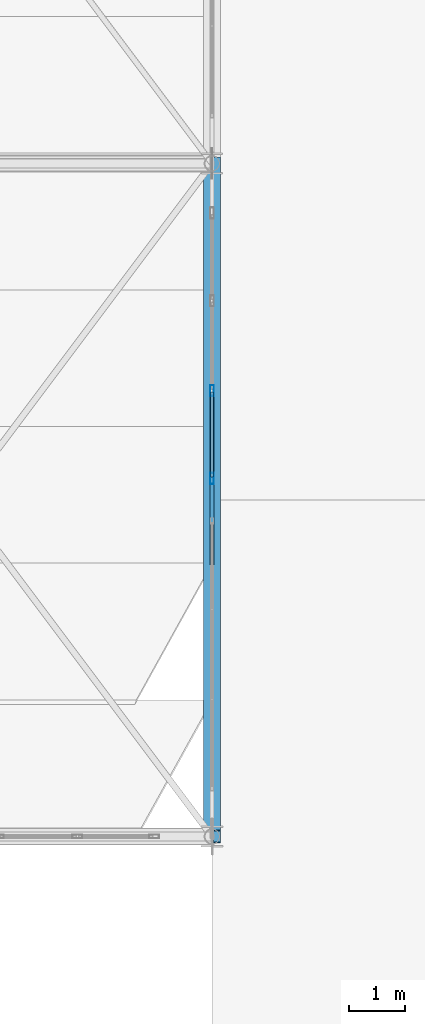
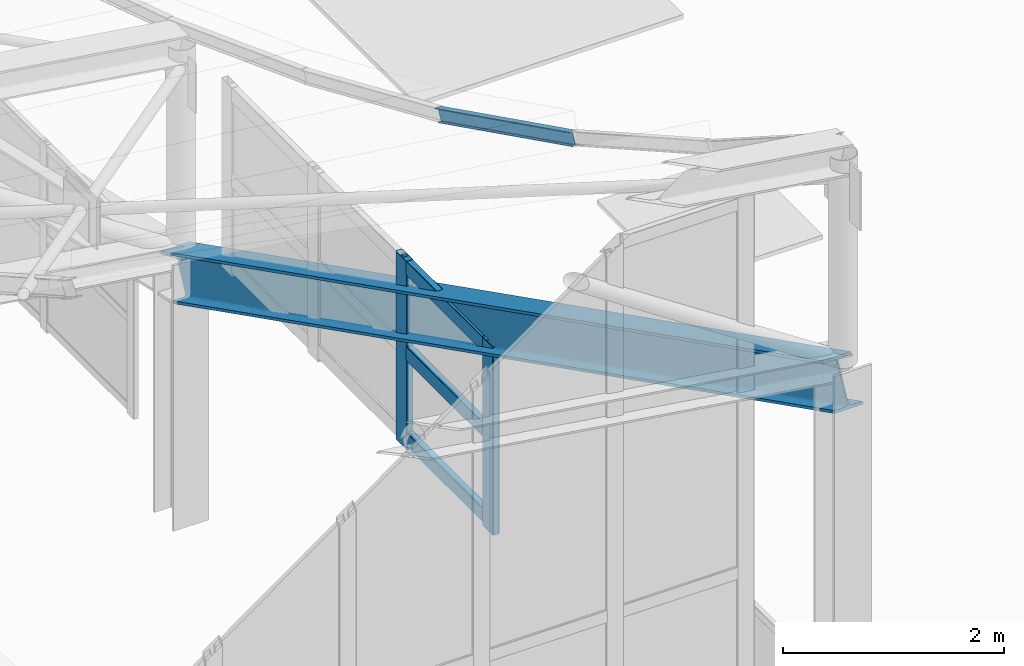
# One storey, part 74 of 262: 6 members, 1 beam, 1 element without a shape of its own.
"""IFC4 building model written with IfcOpenShell, lengths in metres."""

from ifc_helpers import new_model, si_unit, derived_unit, direction, frame, origin, origin_2d, place, context, subcontext, project, spatial, hollow_rectangle, i_section, extrude, material, layer, layer_set, material_profile, profile_set, type_object, element, aggregate, save


model = new_model("IFC4")

# Units and contexts
model_context = context("Model", 3, precision=1e-05, world=origin(), true_north=direction((0.0, 1.0)))
body_context = subcontext(model_context, "Body", "Model", "MODEL_VIEW")
ifc_project = project(units=[si_unit("LENGTHUNIT", "METRE"), si_unit("AREAUNIT", "SQUARE_METRE"), si_unit("VOLUMEUNIT", "CUBIC_METRE"), si_unit("PLANEANGLEUNIT", "RADIAN"), si_unit("MASSUNIT", "GRAM", prefix="KILO"), derived_unit("THERMALTRANSMITTANCEUNIT", [(si_unit("POWERUNIT", "WATT"), 1), (si_unit("LENGTHUNIT", "METRE"), -2), (si_unit("THERMODYNAMICTEMPERATUREUNIT", "KELVIN"), -1)])], contexts=[model_context])

# Site, building, storey
site_placement = place(None, origin())
site = spatial("IfcSite", under=ifc_project, at=site_placement, CompositionType="ELEMENT")
building_placement = place(site_placement, origin())
building = spatial("IfcBuilding", under=site, at=building_placement, Name="Almenara Railside Exhibition Hall", CompositionType="ELEMENT")
storey_placement = place(building_placement, frame((0.0, 0.0, 21.699951171875)))
storey = spatial("IfcBuildingStorey", under=building, at=storey_placement, Name="RF", CompositionType="ELEMENT", Elevation=21.699951171875)

# Member
ifc_material_1 = material(Name="Structural steel S355JR", Category="steel")
ifc_material_profile_1 = material_profile(ifc_material_1, i_section(OverallWidth=0.072998046875, OverallDepth=0.139892578125, WebThickness=0.004638671875, FlangeThickness=0.0068359375, FilletRadius=0.007080078125, at=origin_2d()), Name="IPE 140")
ifc_profile_set_1 = profile_set([ifc_material_profile_1], Name="Structural steel S355JR")
member_type_1 = type_object("IfcMemberType", Name="Canopy Edge Purlin IPE 140 S355JR", PredefinedType="PURLIN", material=ifc_profile_set_1)
member_1_placement = place(storey_placement, frame((66.0, 52.873291015625, 6.0966796875), z_axis=(0.0, 0.895376074457, -0.445310773831), x_axis=(-1.0, 0.0, 0.0)))
element("IfcMember", 1, at=member_1_placement, inside=storey, type_object=member_type_1, Name="MEM-PR-V1-PR-IPE140-08-02", PredefinedType="PURLIN", context=body_context, shape_type="SweptSolid", body=[
    extrude(i_section(OverallWidth=0.072998046875, OverallDepth=0.139892578125, WebThickness=0.004638671875, FlangeThickness=0.0068359375, FilletRadius=0.007080078125, at=origin_2d()), origin(), (0.0, 0.0, 1.0), 2.721435546875),
])

# Curtain wall, members
ifc_material_2 = material(Name="Bronze-anodised aluminium and low-E double glazing", Category="aluminium")
ifc_layer = layer(ifc_material_2, 0.179931640625, Name="Bronze-anodised aluminium and low-E double glazing")
ifc_layer_set = layer_set([ifc_layer], Name="Bronze-anodised aluminium and low-E double glazing")
curtain_wall_type = type_object("IfcCurtainWallType", Name="West Hall Clerestory Curtain Wall 4200x2400", PredefinedType="NOTDEFINED", material=ifc_layer_set)
curtain_wall_placement = place(storey_placement, origin())
curtain_wall = element("IfcCurtainWall", 2, at=curtain_wall_placement, inside=storey, type_object=curtain_wall_type, Name="Curtain wall CW-CL1-171", PredefinedType="NOTDEFINED")
ifc_material_3 = material(Name="Bronze-anodised aluminium", Category="aluminium")
ifc_material_profile_2 = material_profile(ifc_material_3, hollow_rectangle(XDim=0.070068359375, YDim=0.199951171875, WallThickness=0.00439453125, InnerFilletRadius=0.00439453125, OuterFilletRadius=0.009033203125, at=origin_2d()), Name="ALU-MUL 70x200x4.5")
ifc_profile_set_2 = profile_set([ifc_material_profile_2], Name="Bronze-anodised aluminium")
member_type_2 = type_object("IfcMemberType", Name="Curtain Wall Mullion 70x200x4.5", PredefinedType="MULLION", material=ifc_profile_set_2)
member_2_placement = place(storey_placement, frame((66.0, 54.385009765625, 0.85498046875), z_axis=(0.0, 0.0, 1.0), x_axis=(-1.0, 0.0, 0.0)))
member_2 = element("IfcMember", 3, at=member_2_placement, type_object=member_type_2, Name="CW-CL1-171 mullion 1", PredefinedType="MULLION", context=body_context, shape_type="SweptSolid", body=[
    extrude(hollow_rectangle(XDim=0.070068359375, YDim=0.199951171875, WallThickness=0.00439453125, InnerFilletRadius=0.00439453125, OuterFilletRadius=0.009033203125, at=origin_2d()), origin(), (0.0, 0.0, 1.0), 2.0849609375),
])
member_3_placement = place(storey_placement, frame((66.0, 55.949951171875, 0.85498046875), z_axis=(0.0, 0.0, 1.0), x_axis=(-1.0, 0.0, 0.0)))
member_3 = element("IfcMember", 4, at=member_3_placement, type_object=member_type_2, Name="CW-CL1-171 mullion 2", PredefinedType="MULLION", context=body_context, shape_type="SweptSolid", body=[
    extrude(hollow_rectangle(XDim=0.070068359375, YDim=0.199951171875, WallThickness=0.00439453125, InnerFilletRadius=0.00439453125, OuterFilletRadius=0.009033203125, at=origin_2d()), origin(), (0.0, 0.0, 1.0), 2.0849609375),
])
ifc_material_profile_3 = material_profile(ifc_material_3, hollow_rectangle(XDim=0.070068359375, YDim=0.159912109375, WallThickness=0.00390625, InnerFilletRadius=0.00390625, OuterFilletRadius=0.008056640625, at=origin_2d()), Name="ALU-TRN 70x160x4")
ifc_profile_set_3 = profile_set([ifc_material_profile_3], Name="Bronze-anodised aluminium")
member_type_3 = type_object("IfcMemberType", Name="Curtain Wall Transom 70x160x4", PredefinedType="USERDEFINED", material=ifc_profile_set_3)
member_4_placement = place(storey_placement, frame((66.0, 54.412109375, 0.969970703125), z_axis=(0.0, 1.0, 0.0), x_axis=(-1.0, 0.0, 0.0)))
member_4 = element("IfcMember", 5, at=member_4_placement, type_object=member_type_3, Name="CW-CL1-171 transom 1.1", ObjectType="TRANSOM", PredefinedType="USERDEFINED", context=body_context, shape_type="SweptSolid", body=[
    extrude(hollow_rectangle(XDim=0.070068359375, YDim=0.159912109375, WallThickness=0.00390625, InnerFilletRadius=0.00390625, OuterFilletRadius=0.008056640625, at=origin_2d()), origin(), (0.0, 0.0, 1.0), 1.510986328125),
])
member_5_placement = place(storey_placement, frame((66.0, 54.412109375, 1.9150390625), z_axis=(0.0, 1.0, 0.0), x_axis=(-1.0, 0.0, 0.0)))
member_5 = element("IfcMember", 6, at=member_5_placement, type_object=member_type_3, Name="CW-CL1-171 transom 1.2", ObjectType="TRANSOM", PredefinedType="USERDEFINED", context=body_context, shape_type="SweptSolid", body=[
    extrude(hollow_rectangle(XDim=0.070068359375, YDim=0.159912109375, WallThickness=0.00390625, InnerFilletRadius=0.00390625, OuterFilletRadius=0.008056640625, at=origin_2d()), origin(), (0.0, 0.0, 1.0), 1.510986328125),
])
member_6_placement = place(storey_placement, frame((66.0, 54.412109375, 2.860107421875), z_axis=(0.0, 1.0, 0.0), x_axis=(-1.0, 0.0, 0.0)))
member_6 = element("IfcMember", 7, at=member_6_placement, type_object=member_type_3, Name="CW-CL1-171 transom 1.3", ObjectType="TRANSOM", PredefinedType="USERDEFINED", context=body_context, shape_type="SweptSolid", body=[
    extrude(hollow_rectangle(XDim=0.070068359375, YDim=0.159912109375, WallThickness=0.00390625, InnerFilletRadius=0.00390625, OuterFilletRadius=0.008056640625, at=origin_2d()), origin(), (0.0, 0.0, 1.0), 1.510986328125),
])
aggregate(curtain_wall, [member_2, member_3, member_4, member_5, member_6])

# Beam
ifc_material_profile_4 = material_profile(ifc_material_1, i_section(OverallWidth=0.300048828125, OverallDepth=0.5, WebThickness=0.014404296875, FlangeThickness=0.028076171875, FilletRadius=0.027099609375, at=origin_2d()), Name="HEB 500")
ifc_profile_set_4 = profile_set([ifc_material_profile_4], Name="Structural steel S355JR")
beam_type = type_object("IfcBeamType", Name="Steel Heavy Eaves Girder HEB 500 S355JR", PredefinedType="USERDEFINED", material=ifc_profile_set_4)
beam_placement = place(storey_placement, frame((66.0, 48.0, 6.35009765625), z_axis=(0.0, 0.892669577236, -0.450711688197), x_axis=(-1.0, 0.0, 0.0)))
element("IfcBeam", 8, at=beam_placement, inside=storey, type_object=beam_type, Name="Beam 0962", ObjectType="GIRDER", PredefinedType="USERDEFINED", context=body_context, shape_type="SweptSolid", body=[
    extrude(i_section(OverallWidth=0.300048828125, OverallDepth=0.5, WebThickness=0.014404296875, FlangeThickness=0.028076171875, FilletRadius=0.027099609375, at=origin_2d()), origin(), (0.0, 0.0, 1.0), 13.44287109375),
])

save(model, "model.ifc")
